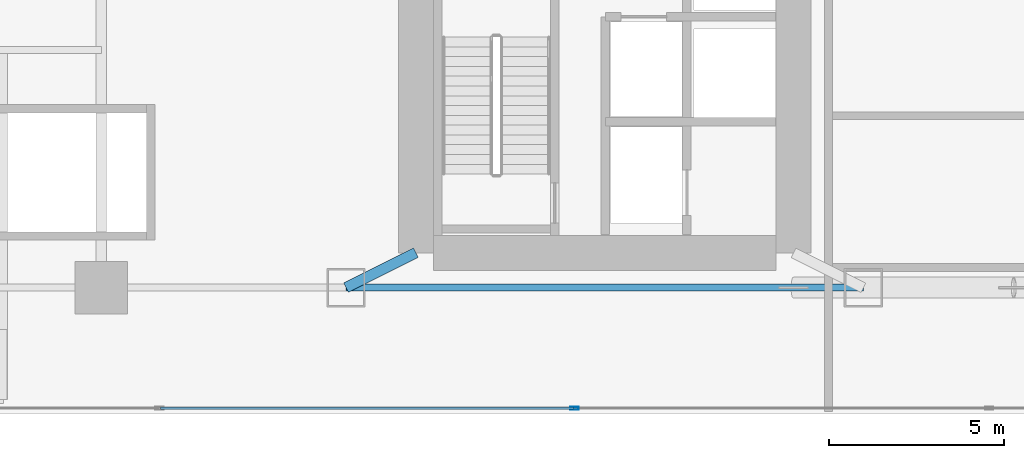
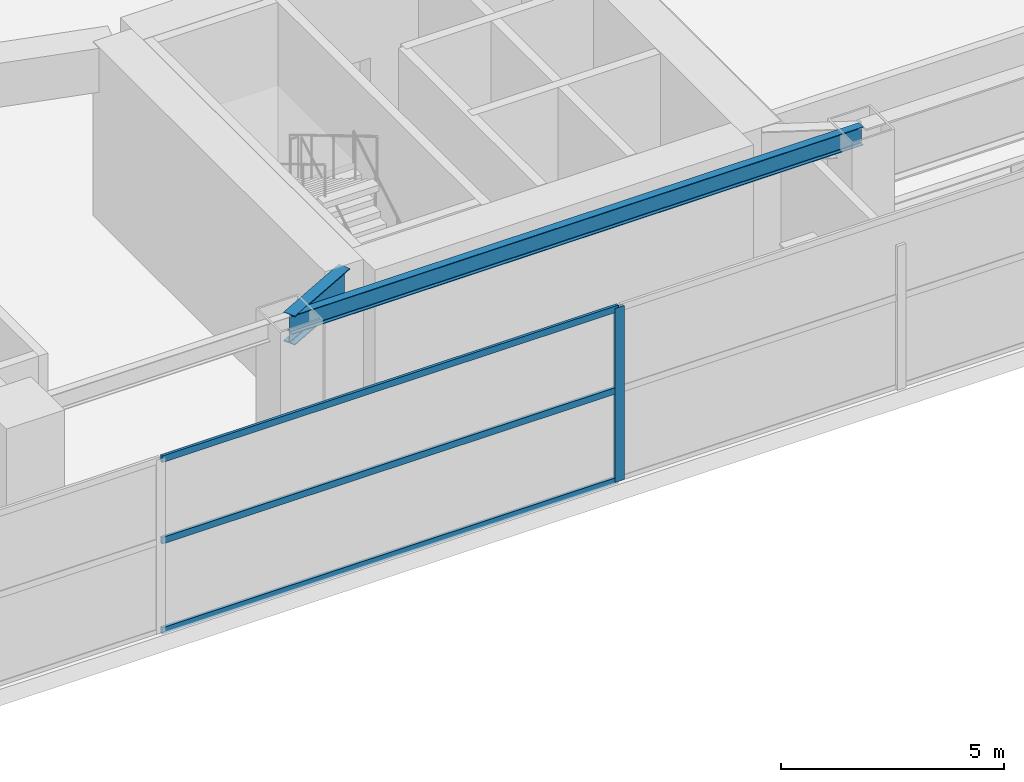
# One storey, part 7 of 36: 4 members, 2 beams, 1 element without a shape of its own.
"""IFC4 building model written with IfcOpenShell, lengths in metres."""

from ifc_helpers import new_model, si_unit, direction, frame, origin, origin_2d, place, context, subcontext, project, spatial, hollow_rectangle, i_section, extrude, material, layer, layer_set, material_profile, profile_set, type_object, element, aggregate, save


model = new_model("IFC4")

# Units and contexts
model_context = context("Model", 3, precision=1e-05, world=origin(), true_north=direction((0.0, 1.0)))
body_context = subcontext(model_context, "Body", "Model", "MODEL_VIEW")
ifc_project = project(units=[si_unit("LENGTHUNIT", "METRE"), si_unit("AREAUNIT", "SQUARE_METRE"), si_unit("VOLUMEUNIT", "CUBIC_METRE"), si_unit("PLANEANGLEUNIT", "RADIAN"), si_unit("MASSUNIT", "GRAM", prefix="KILO")], contexts=[model_context])

# Site, building, storey
site_placement = place(None, origin())
site = spatial("IfcSite", under=ifc_project, at=site_placement, CompositionType="ELEMENT")
building_placement = place(site_placement, origin())
building = spatial("IfcBuilding", under=site, at=building_placement, Name="Calvorn Quay Hotel", CompositionType="ELEMENT")
storey_placement = place(building_placement, frame((0.0, 0.0, 22.0)))
storey = spatial("IfcBuildingStorey", under=building, at=storey_placement, Name="L04", CompositionType="ELEMENT", Elevation=22.0)

# Beams
ifc_material_1 = material(Name="Steel Q390GJC", Category="steel")
ifc_material_profile_1 = material_profile(ifc_material_1, i_section(OverallWidth=0.300048828125, OverallDepth=0.800048828125, WebThickness=0.013916015625, FlangeThickness=0.02587890625, FilletRadius=0.02392578125, at=origin_2d()), Name="HN800x300x14x26")
ifc_profile_set_1 = profile_set([ifc_material_profile_1], Name="Steel Q390GJC")
beam_type_1 = type_object("IfcBeamType", Name="BM-GIRD-POD", PredefinedType="BEAM", material=ifc_profile_set_1)
beam_1_placement = place(storey_placement, frame((19.60009765625, 3.60009765625, 4.340087890625), z_axis=(0.894427191, 0.4472135955, 0.0), x_axis=(-0.4472135955, 0.894427191, 0.0)))
element("IfcBeam", 1, at=beam_1_placement, inside=storey, type_object=beam_type_1, Name="Beam BG-L04-S2", PredefinedType="BEAM", context=body_context, shape_type="SweptSolid", body=[
    extrude(i_section(OverallWidth=0.300048828125, OverallDepth=0.800048828125, WebThickness=0.013916015625, FlangeThickness=0.02587890625, FilletRadius=0.02392578125, at=origin_2d()), origin(), (0.0, 0.0, 1.0), 2.236083984375),
])
ifc_material_2 = material(Name="Steel Q355B", Category="steel")
ifc_material_profile_2 = material_profile(ifc_material_2, i_section(OverallWidth=0.199951171875, OverallDepth=0.5, WebThickness=0.010009765625, FlangeThickness=0.01611328125, FilletRadius=0.01611328125, at=origin_2d()), Name="HN500x200x10x16")
ifc_profile_set_2 = profile_set([ifc_material_profile_2], Name="Steel Q355B")
beam_type_2 = type_object("IfcBeamType", Name="BM-SPANDREL-Z1", PredefinedType="SPANDREL", material=ifc_profile_set_2)
beam_2_placement = place(storey_placement, frame((19.60009765625, 3.60009765625, 4.489990234375), z_axis=(1.0, 0.0, 0.0), x_axis=(0.0, 1.0, 0.0)))
element("IfcBeam", 2, at=beam_2_placement, inside=storey, type_object=beam_type_2, Name="Beam BSP-L04-S3", PredefinedType="SPANDREL", context=body_context, shape_type="SweptSolid", body=[
    extrude(i_section(OverallWidth=0.199951171875, OverallDepth=0.5, WebThickness=0.010009765625, FlangeThickness=0.01611328125, FilletRadius=0.01611328125, at=origin_2d()), origin(), (0.0, 0.0, 1.0), 14.7998046875),
])

# Curtain wall, members
ifc_material_3 = material(Name="Pale Anodised Aluminium and Low-E Glass", Category="aluminium")
ifc_layer = layer(ifc_material_3, 0.219970703125)
ifc_layer_set = layer_set([ifc_layer], Name="CW-SYS-POD")
curtain_wall_type = type_object("IfcCurtainWallType", Name="CW-SYS-POD", PredefinedType="NOTDEFINED", material=ifc_layer_set)
curtain_wall_placement = place(storey_placement, origin())
curtain_wall = element("IfcCurtainWall", 3, at=curtain_wall_placement, inside=storey, type_object=curtain_wall_type, Name="Podium Curtain Wall L04-S1", PredefinedType="NOTDEFINED")
ifc_material_4 = material(Name="Pale Anodised Aluminium 6063-T6", Category="aluminium")
ifc_material_profile_3 = material_profile(ifc_material_4, hollow_rectangle(XDim=0.080078125, YDim=0.239990234375, WallThickness=0.0048828125, at=origin_2d()), Name="ALU-M240x80x5")
ifc_profile_set_3 = profile_set([ifc_material_profile_3], Name="Pale Anodised Aluminium 6063-T6")
member_type_1 = type_object("IfcMemberType", Name="CW-SYS-POD-MUL", PredefinedType="MULLION", material=ifc_profile_set_3)
member_1_placement = place(storey_placement, frame((26.13330078125, 0.14990234375, 0.0), z_axis=(0.0, 0.0, 1.0), x_axis=(0.0, 1.0, 0.0)))
member_1 = element("IfcMember", 4, at=member_1_placement, type_object=member_type_1, Name="CW-L04-S1 mullion 3", PredefinedType="MULLION", context=body_context, shape_type="SweptSolid", body=[
    extrude(hollow_rectangle(XDim=0.080078125, YDim=0.239990234375, WallThickness=0.0048828125, at=origin_2d()), origin(), (0.0, 0.0, 1.0), 4.760009765625),
])
ifc_material_5 = material(Name="Pale Anodised Aluminium 6063-T6", Category="aluminium")
ifc_material_profile_4 = material_profile(ifc_material_5, hollow_rectangle(XDim=0.070068359375, YDim=0.179931640625, WallThickness=0.00390625, at=origin_2d()), Name="ALU-T180x70x4")
ifc_profile_set_4 = profile_set([ifc_material_profile_4], Name="Pale Anodised Aluminium 6063-T6")
member_type_2 = type_object("IfcMemberType", Name="CW-SYS-POD-TRN", PredefinedType="USERDEFINED", material=ifc_profile_set_4)
member_2_placement = place(storey_placement, frame((14.296630859375, 0.14990234375, 0.030029296875), z_axis=(1.0, 0.0, 0.0), x_axis=(0.0, 1.0, 0.0)))
member_2 = element("IfcMember", 5, at=member_2_placement, type_object=member_type_2, Name="CW-L04-S1 transom 2.1", ObjectType="TRANSOM", PredefinedType="USERDEFINED", context=body_context, shape_type="SweptSolid", body=[
    extrude(hollow_rectangle(XDim=0.070068359375, YDim=0.179931640625, WallThickness=0.00390625, at=origin_2d()), origin(), (0.0, 0.0, 1.0), 11.806640625),
])
member_3_placement = place(storey_placement, frame((14.296630859375, 0.14990234375, 2.5), z_axis=(1.0, 0.0, 0.0), x_axis=(0.0, 1.0, 0.0)))
member_3 = element("IfcMember", 6, at=member_3_placement, type_object=member_type_2, Name="CW-L04-S1 transom 2.2", ObjectType="TRANSOM", PredefinedType="USERDEFINED", context=body_context, shape_type="SweptSolid", body=[
    extrude(hollow_rectangle(XDim=0.070068359375, YDim=0.179931640625, WallThickness=0.00390625, at=origin_2d()), origin(), (0.0, 0.0, 1.0), 11.806640625),
])
member_4_placement = place(storey_placement, frame((14.296630859375, 0.14990234375, 4.72998046875), z_axis=(1.0, 0.0, 0.0), x_axis=(0.0, 1.0, 0.0)))
member_4 = element("IfcMember", 7, at=member_4_placement, type_object=member_type_2, Name="CW-L04-S1 transom 2.3", ObjectType="TRANSOM", PredefinedType="USERDEFINED", context=body_context, shape_type="SweptSolid", body=[
    extrude(hollow_rectangle(XDim=0.070068359375, YDim=0.179931640625, WallThickness=0.00390625, at=origin_2d()), origin(), (0.0, 0.0, 1.0), 11.806640625),
])
aggregate(curtain_wall, [member_1, member_2, member_3, member_4])

save(model, "model.ifc")
